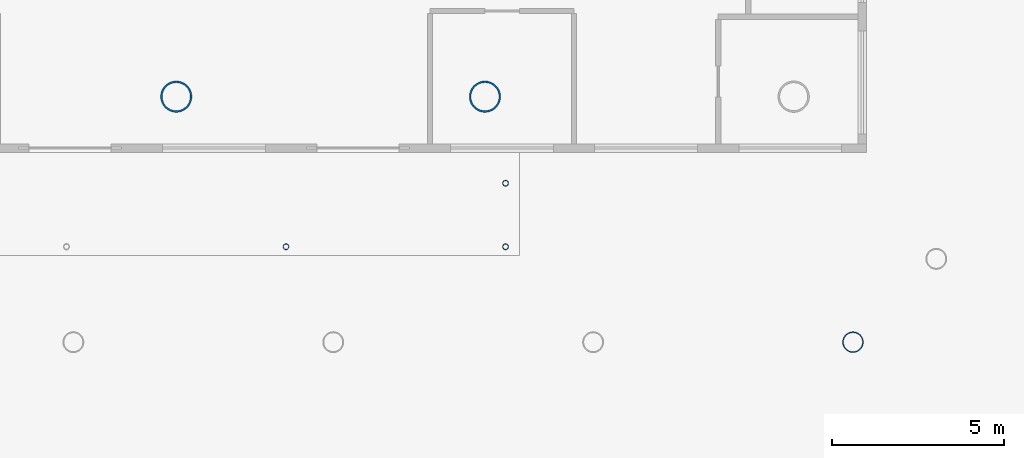
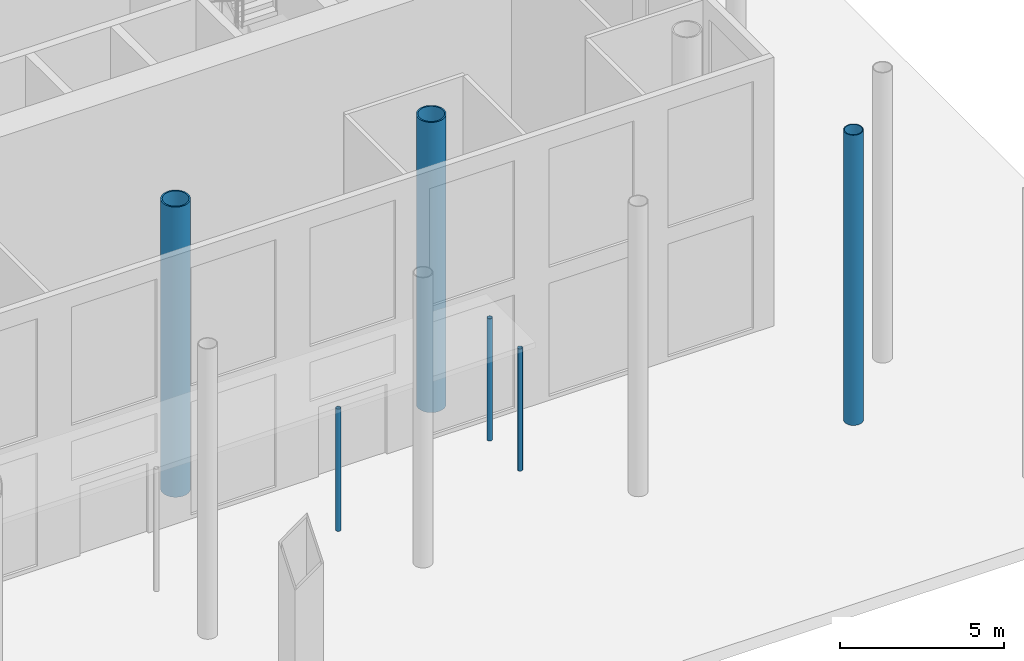
# One storey, part 4 of 18: 6 columns.
"""IFC4 building model written with IfcOpenShell, lengths in metres."""

import ifcopenshell
import ifcopenshell.guid

model = None  # the IFC model being written
_history = None  # IfcOwnerHistory: only IFC2X3 demands one
_inside = {}  # id of a spatial element -> (the spatial element, [elements in it])
_under = {}  # id of a project, library or spatial element -> (it, [spatial elements below it])
_declared = {}  # id of a project -> (the project, [libraries it declares])
_typed = {}  # id of a type object -> (the type object, [elements of that type])
_made_of = {}  # id of a material, layer set ... -> (it, [elements and type objects made of it])


def new_model(schema):
    """Start an empty IFC model of exactly this schema.

    Asked for "IFC4X3", IfcOpenShell would pick the latest addendum, in which some entities
    have other attributes; the version numbers below select the first issue.
    IFC2X3 requires an IfcOwnerHistory on every rooted entity: one is made here for all.
    """
    global model, _history
    if schema == "IFC4X3":
        model = ifcopenshell.file(schema_version=(4, 3, 0, 0))
    else:
        model = ifcopenshell.file(schema=schema)
    _inside.clear()
    _under.clear()
    _declared.clear()
    _typed.clear()
    _made_of.clear()
    _history = None
    if model.schema == "IFC2X3":
        org = make("IfcOrganization", Name="unknown")
        user = make(
            "IfcPersonAndOrganization",
            ThePerson=make("IfcPerson", FamilyName="unknown"),
            TheOrganization=org,
        )
        app = make(
            "IfcApplication",
            ApplicationDeveloper=org,
            Version="unknown",
            ApplicationFullName="unknown",
            ApplicationIdentifier="unknown",
        )
        _history = make(
            "IfcOwnerHistory",
            OwningUser=user,
            OwningApplication=app,
            ChangeAction="ADDED",
            CreationDate=0,
        )
    return model


def make(cls, **values):
    """One entity of the class cls with the attributes given. An attribute that is None is left unset."""
    return model.create_entity(
        cls, **{name: value for name, value in values.items() if value is not None}
    )


def rooted(cls, **values):
    """An entity with a GlobalId (a new one), such as an element, a storey or a relation."""
    return make(cls, GlobalId=ifcopenshell.guid.new(), OwnerHistory=_history, **values)


def si_unit(unit_type, name, prefix=None):
    """IfcSIUnit, for example si_unit("LENGTHUNIT", "METRE", prefix="MILLI")."""
    return make("IfcSIUnit", UnitType=unit_type, Prefix=prefix, Name=name)


def assignment(units):
    """IfcUnitAssignment: the units of a project."""
    return None if units is None else make("IfcUnitAssignment", Units=units)


def point(xyz):
    """IfcCartesianPoint."""
    return None if xyz is None else make("IfcCartesianPoint", Coordinates=xyz)


def direction(xyz):
    """IfcDirection."""
    return None if xyz is None else make("IfcDirection", DirectionRatios=xyz)


def frame(location, z_axis=None, x_axis=None):
    """IfcAxis2Placement3D, a coordinate frame: its origin and axes. An axis left out is left unset."""
    return make(
        "IfcAxis2Placement3D",
        Location=point(location),
        Axis=direction(z_axis),
        RefDirection=direction(x_axis),
    )


def frame_2d(location, x_axis=None):
    """IfcAxis2Placement2D, a coordinate frame in the plane: its origin and x axis."""
    return make(
        "IfcAxis2Placement2D", Location=point(location), RefDirection=direction(x_axis)
    )


def origin():
    """The frame at (0, 0, 0) with its axes left unset."""
    return frame((0.0, 0.0, 0.0))


def origin_2d():
    """The frame at (0, 0) in the plane with its x axis left unset."""
    return frame_2d((0.0, 0.0))


def place(relative_to, where):
    """IfcLocalPlacement: puts the frame where relative to a parent placement (None: the world)."""
    return make(
        "IfcLocalPlacement", PlacementRelTo=relative_to, RelativePlacement=where
    )


def context(
    kind, dimensions, precision=None, world=None, true_north=None, identifier=None
):
    """IfcGeometricRepresentationContext, for example the 3D "Model" context."""
    return make(
        "IfcGeometricRepresentationContext",
        ContextIdentifier=identifier,
        ContextType=kind,
        CoordinateSpaceDimension=dimensions,
        Precision=precision,
        WorldCoordinateSystem=world,
        TrueNorth=true_north,
    )


def subcontext(parent, identifier, kind, view, scale=None):
    """IfcGeometricRepresentationSubContext, for example "Body" below "Model"."""
    return make(
        "IfcGeometricRepresentationSubContext",
        ContextIdentifier=identifier,
        ContextType=kind,
        ParentContext=parent,
        TargetScale=scale,
        TargetView=view,
    )


def project(units=None, contexts=None):
    """IfcProject with its units and contexts."""
    return rooted(
        "IfcProject",
        Name="project",
        RepresentationContexts=contexts,
        UnitsInContext=assignment(units),
    )


def spatial(cls, under=None, at=None, **own):
    """A site, building, storey or space (cls), placed at a placement, below another one or the project."""
    s = rooted(cls, ObjectPlacement=at, **own)
    if under is not None:
        _under.setdefault(under.id(), (under, []))[1].append(s)
    return s


def profile(cls, at=None, kind="AREA", **sizes):
    """A parametric profile (cls). Its sizes go by their IFC names, for example OverallWidth=200.0."""
    return make(cls, ProfileType=kind, Position=at, **sizes)


def hollow_circle(**sizes):
    """IfcCircleHollowProfileDef."""
    return profile("IfcCircleHollowProfileDef", **sizes)


def extrude(swept, where, along, depth):
    """IfcExtrudedAreaSolid: the profile swept, set in the frame where, extruded along a direction by depth."""
    return make(
        "IfcExtrudedAreaSolid",
        SweptArea=swept,
        Position=where,
        ExtrudedDirection=direction(along),
        Depth=depth,
    )


def shape(context_of_items, identifier, shape_type, items):
    """IfcShapeRepresentation: the items that make up one representation, for example the "Body"."""
    return make(
        "IfcShapeRepresentation",
        ContextOfItems=context_of_items,
        RepresentationIdentifier=identifier,
        RepresentationType=shape_type,
        Items=items,
    )


def material(Name=None, Category=None):
    """IfcMaterial."""
    return make("IfcMaterial", Name=Name, Category=Category)


def material_profile(
    of_material, cross_section, Name=None, Category=None, Priority=None
):
    """IfcMaterialProfile: a cross section and its material."""
    return make(
        "IfcMaterialProfile",
        Name=Name,
        Material=of_material,
        Profile=cross_section,
        Priority=Priority,
        Category=Category,
    )


def profile_set(profiles, Name=None, composite=None):
    """IfcMaterialProfileSet."""
    return make(
        "IfcMaterialProfileSet",
        Name=Name,
        MaterialProfiles=profiles,
        CompositeProfile=composite,
    )


def made_of(thing, what):
    """Note that an element or type object is made of a material, layer set ...; save() writes the relation."""
    if what is not None:
        _made_of.setdefault(what.id(), (what, []))[1].append(thing)
    return thing


def type_object(cls, material=None, **own):
    """A type object (cls), such as IfcWallType, which elements share."""
    return made_of(rooted(cls, **own), material)


def element(
    cls,
    number,
    at=None,
    inside=None,
    cuts=None,
    type_object=None,
    material=None,
    context=None,
    identifier="Body",
    shape_type=None,
    held_by="IfcProductDefinitionShape",
    body=None,
    shapes=None,
    **own,
):
    """One element of the class cls, such as IfcWall. Its Tag is "e" and its number.

    at: its placement. inside: the storey or other place that contains it. cuts: it is an
    opening in that element (IfcRelVoidsElement). A single representation is given by context,
    identifier, shape_type and body (its items); several are given by shapes. held_by: the class
    of the entity that holds the representations. save() writes the other relations.
    """
    e = rooted(cls, Tag="e%d" % number, ObjectPlacement=at, **own)
    if body is not None:
        shapes = [shape(context, identifier, shape_type, body)]
    if shapes is not None:
        e.Representation = make(held_by, Representations=shapes)
    if inside is not None:
        _inside.setdefault(inside.id(), (inside, []))[1].append(e)
    if cuts is not None:
        rooted(
            "IfcRelVoidsElement", RelatingBuildingElement=cuts, RelatedOpeningElement=e
        )
    if type_object is not None:
        _typed.setdefault(type_object.id(), (type_object, []))[1].append(e)
    return made_of(e, material)


def aggregate(whole, parts):
    """IfcRelAggregates: a whole, such as a stair, and the parts it consists of."""
    return rooted("IfcRelAggregates", RelatingObject=whole, RelatedObjects=parts)


def save(model, path):
    """Write the relations noted so far, then the file.

    IfcRelAggregates (storeys below a building ...), IfcRelContainedInSpatialStructure (elements
    in a storey), IfcRelDefinesByType, IfcRelAssociatesMaterial and IfcRelDeclares: one each for
    every whole, place, type object, material and project.
    """
    for whole, parts in _under.values():
        aggregate(whole, parts)
    for where, things in _inside.values():
        rooted(
            "IfcRelContainedInSpatialStructure",
            RelatedElements=things,
            RelatingStructure=where,
        )
    for kind, things in _typed.values():
        rooted("IfcRelDefinesByType", RelatedObjects=things, RelatingType=kind)
    for what, things in _made_of.values():
        rooted("IfcRelAssociatesMaterial", RelatedObjects=things, RelatingMaterial=what)
    for by, libraries in _declared.values():
        rooted("IfcRelDeclares", RelatingContext=by, RelatedDefinitions=libraries)
    model.write(path)


model = new_model("IFC4")

# Units and contexts
model_context = context("Model", 3, precision=1e-05, world=origin(), true_north=direction((0.0, 1.0)))
body_context = subcontext(model_context, "Body", "Model", "MODEL_VIEW")
ifc_project = project(units=[si_unit("LENGTHUNIT", "METRE"), si_unit("AREAUNIT", "SQUARE_METRE"), si_unit("VOLUMEUNIT", "CUBIC_METRE"), si_unit("PLANEANGLEUNIT", "RADIAN"), si_unit("MASSUNIT", "GRAM", prefix="KILO")], contexts=[model_context])

# Site, building, storey
site_placement = place(None, origin())
site = spatial("IfcSite", under=ifc_project, at=site_placement, CompositionType="ELEMENT")
building_placement = place(site_placement, origin())
building = spatial("IfcBuilding", under=site, at=building_placement, Name="Tskaro Facet Tower", CompositionType="ELEMENT")
storey_placement = place(building_placement, origin())
storey = spatial("IfcBuildingStorey", under=building, at=storey_placement, Name="L00", CompositionType="ELEMENT", Elevation=0.0)

# Columns
ifc_material_1 = material(Name="Steel S355J2H", Category="steel")
ifc_material_profile_1 = material_profile(ifc_material_1, hollow_circle(Radius=0.304931640625, WallThickness=0.030029296875, at=origin_2d()), Name="CHS 610x30")
ifc_profile_set_1 = profile_set([ifc_material_profile_1], Name="Steel S355J2H")
column_type_1 = type_object("IfcColumnType", Name="CHS 610x30 ring column", PredefinedType="COLUMN", material=ifc_profile_set_1)
column_placement = place(storey_placement, frame((19.72900390625, -25.156982421875, 0.0), z_axis=(0.0, 0.0, 1.0), x_axis=(1.0, 0.0, 0.0)))
element("IfcColumn", 1, at=column_placement, inside=storey, type_object=column_type_1, Name="CHS 610x30 RSE-1/1", PredefinedType="COLUMN", context=body_context, shape_type="SweptSolid", body=[
    extrude(hollow_circle(Radius=0.304931640625, WallThickness=0.030029296875, at=origin_2d()), origin(), (0.0, 0.0, 1.0), 10.800048828125),
])
ifc_material_profile_2 = material_profile(ifc_material_1, hollow_circle(Radius=0.457275390625, WallThickness=0.050048828125, at=origin_2d()), Name="CHS 914.4x50")
ifc_profile_set_2 = profile_set([ifc_material_profile_2], Name="Steel S355J2H")
column_type_2 = type_object("IfcColumnType", Name="CHS 914.4x50 interior column", PredefinedType="COLUMN", material=ifc_profile_set_2)
for number, where, z_axis, x_axis, name in (
    (2, (0.0, -18.0, 0.0), (0.0, 0.0, 1.0), (1.0, 0.0, 0.0), "CHS 914.4x50 C4B/1"),
    (3, (9.0, -18.0, 0.0), (0.0, 0.0, 1.0), (1.0, 0.0, 0.0), "CHS 914.4x50 C5B/1"),
):
    element("IfcColumn", number, at=place(storey_placement, frame(where, z_axis=z_axis, x_axis=x_axis)), inside=storey, type_object=column_type_2, Name=name, PredefinedType="COLUMN", context=body_context, shape_type="SweptSolid", body=[
        extrude(hollow_circle(Radius=0.457275390625, WallThickness=0.050048828125, at=origin_2d()), origin(), (0.0, 0.0, 1.0), 10.800048828125),
    ])
ifc_material_2 = material(Name="Steel S355", Category="steel")
ifc_material_profile_3 = material_profile(ifc_material_2, hollow_circle(Radius=0.084228515625, WallThickness=0.008056640625, at=origin_2d()), Name="CHS 168.3x8")
ifc_profile_set_3 = profile_set([ifc_material_profile_3], Name="Steel S355")
column_type_3 = type_object("IfcColumnType", Name="Canopy post CHS 168.3x8", PredefinedType="COLUMN", material=ifc_profile_set_3)
for number, where, z_axis, x_axis, name in (
    (4, (3.199951171875, -22.375, 0.0), (0.0, 0.0, 1.0), (1.0, 0.0, 0.0), "Canopy post 3"),
    (5, (9.60009765625, -22.375, 0.0), (0.0, 0.0, 1.0), (1.0, 0.0, 0.0), "Canopy post 4"),
    (6, (9.60009765625, -20.52490234375, 0.0), (0.0, 0.0, 1.0), (1.0, 0.0, 0.0), "Canopy post 6"),
):
    element("IfcColumn", number, at=place(storey_placement, frame(where, z_axis=z_axis, x_axis=x_axis)), inside=storey, type_object=column_type_3, Name=name, PredefinedType="COLUMN", context=body_context, shape_type="SweptSolid", body=[
        extrude(hollow_circle(Radius=0.084228515625, WallThickness=0.008056640625, at=origin_2d()), origin(), (0.0, 0.0, 1.0), 4.550048828125),
    ])

save(model, "model.ifc")
